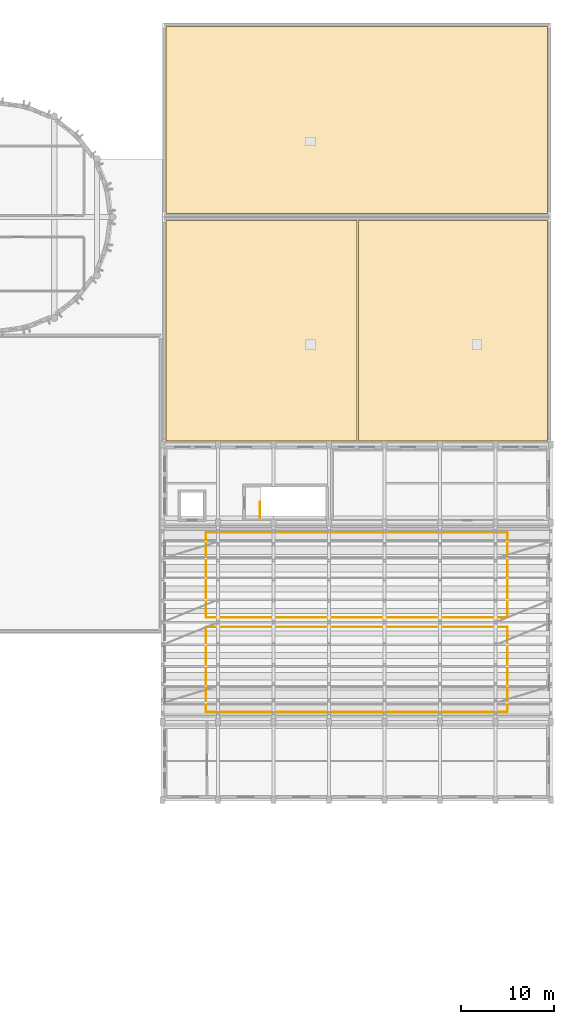
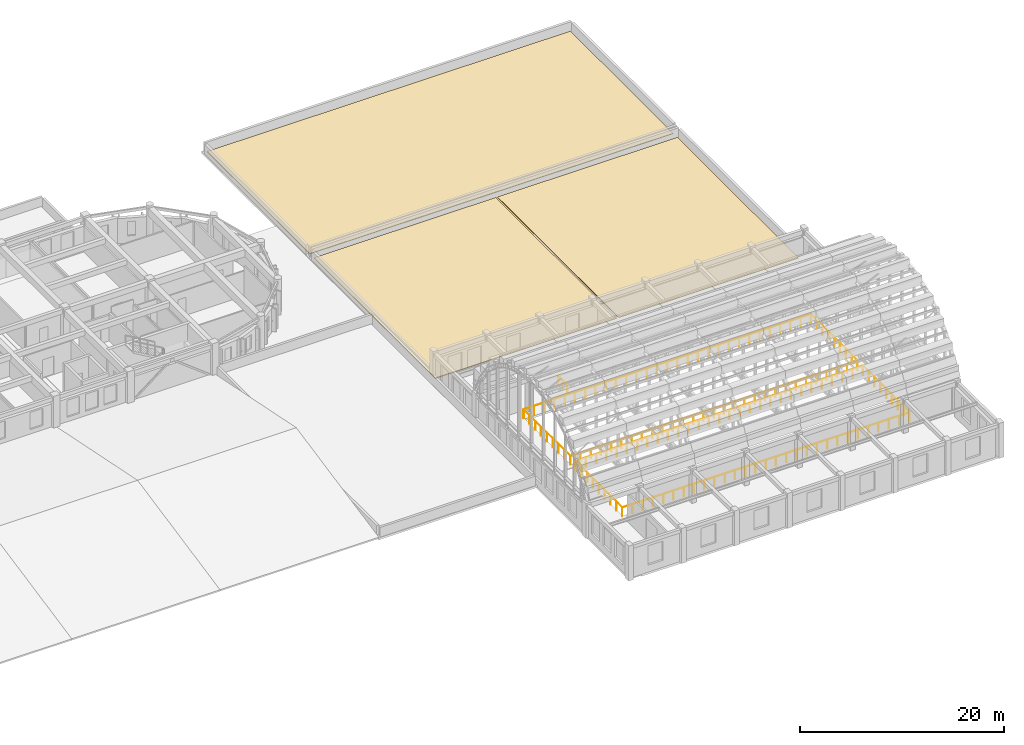
# One storey, part 46 of 46: 5 railings, 3 coverings.
"""IFC4 building model written with IfcOpenShell, lengths in metres."""

from ifc_helpers import new_model, si_unit, direction, frame, origin, origin_2d, place, context, subcontext, project, spatial, polyline, circle, outline, extrude, material, layer, layer_set, type_object, element, save


model = new_model("IFC4")

# Units and contexts
model_context = context("Model", 3, precision=1e-05, world=origin(), true_north=direction((0.0, 1.0)))
body_context = subcontext(model_context, "Body", "Model", "MODEL_VIEW")
ifc_project = project(units=[si_unit("LENGTHUNIT", "METRE"), si_unit("AREAUNIT", "SQUARE_METRE"), si_unit("VOLUMEUNIT", "CUBIC_METRE"), si_unit("PLANEANGLEUNIT", "RADIAN"), si_unit("MASSUNIT", "GRAM", prefix="KILO")], contexts=[model_context])

# Site, building, storey
site_placement = place(None, origin())
site = spatial("IfcSite", under=ifc_project, at=site_placement, CompositionType="ELEMENT")
building_placement = place(site_placement, origin())
building = spatial("IfcBuilding", under=site, at=building_placement, Name="Tarnavel Promenade Courthouse", CompositionType="ELEMENT")
storey_placement = place(building_placement, frame((0.0, 0.0, 14.39990234375)))
storey = spatial("IfcBuildingStorey", under=building, at=storey_placement, Name="L04", CompositionType="ELEMENT", Elevation=14.39990234375)

# Railings
ifc_material_1 = material(Name="Painted Architectural Steel Core Stair Guardrail", Category="steel")
railing_type_1 = type_object("IfcRailingType", Name="Painted Architectural Steel Core Stair Guardrail (RL-GRD-1100)", PredefinedType="GUARDRAIL", material=ifc_material_1)
railing_1_placement = place(storey_placement, frame((130.550048828125, 59.199951171875, 0.0)))
element("IfcRailing", 1, at=railing_1_placement, inside=storey, type_object=railing_type_1, Name="L04 ST-08 top well guard 1", PredefinedType="GUARDRAIL", context=body_context, shape_type="SweptSolid", body=[
    extrude(circle(Radius=0.02392578125, at=origin_2d()), frame((0.0, 0.0, 1.076171875), z_axis=(0.0, 1.0, 0.0), x_axis=(-1.0, 0.0, 0.0)), (0.0, 0.0, 1.0), 1.800048828125),
    extrude(circle(Radius=0.02099609375, at=origin_2d()), origin(), (0.0, 0.0, 1.0), 1.052001953125),
    extrude(circle(Radius=0.02099609375, at=origin_2d()), frame((0.0, 0.89990234375, 0.0)), (0.0, 0.0, 1.0), 1.052001953125),
    extrude(circle(Radius=0.02099609375, at=origin_2d()), frame((0.0, 1.800048828125, 0.0)), (0.0, 0.0, 1.0), 1.052001953125),
])
ifc_material_2 = material(Name="Painted Architectural Steel Stair & Atrium Guardrail", Category="steel")
railing_type_2 = type_object("IfcRailingType", Name="Painted Architectural Steel Stair & Atrium Guardrail (RL-GRD-1120)", PredefinedType="GUARDRAIL", material=ifc_material_2)
railing_2_placement = place(storey_placement, frame((124.699951171875, 47.4599609375, 0.0)))
element("IfcRailing", 2, at=railing_2_placement, inside=storey, type_object=railing_type_2, Name="L04 Ceremonial Courtroom Gallery Guardrail S South-West Run", PredefinedType="GUARDRAIL", context=body_context, shape_type="SweptSolid", body=[
    extrude(circle(Radius=0.02392578125, at=origin_2d()), frame((0.0, 0.0, 1.09619140625), z_axis=(0.0, -1.0, 0.0), x_axis=(1.0, 0.0, 0.0)), (0.0, 0.0, 1.0), 9.159912109375),
    extrude(circle(Radius=0.02392578125, at=origin_2d()), frame((0.0, -9.159912109375, 1.09619140625), z_axis=(1.0, 0.0, 0.0), x_axis=(0.0, 1.0, 0.0)), (0.0, 0.0, 1.0), 32.56005859375),
    extrude(circle(Radius=0.02099609375, at=origin_2d()), origin(), (0.0, 0.0, 1.0), 1.072021484375),
    extrude(circle(Radius=0.02099609375, at=origin_2d()), frame((0.0, -1.14501953125, 0.0)), (0.0, 0.0, 1.0), 1.072021484375),
    extrude(circle(Radius=0.02099609375, at=origin_2d()), frame((0.0, -2.2900390625, 0.0)), (0.0, 0.0, 1.0), 1.072021484375),
    extrude(circle(Radius=0.02099609375, at=origin_2d()), frame((0.0, -3.43505859375, 0.0)), (0.0, 0.0, 1.0), 1.072021484375),
    extrude(circle(Radius=0.02099609375, at=origin_2d()), frame((0.0, -4.580078125, 0.0)), (0.0, 0.0, 1.0), 1.072021484375),
    extrude(circle(Radius=0.02099609375, at=origin_2d()), frame((0.0, -5.724853515625, 0.0)), (0.0, 0.0, 1.0), 1.072021484375),
    extrude(circle(Radius=0.02099609375, at=origin_2d()), frame((0.0, -6.869873046875, 0.0)), (0.0, 0.0, 1.0), 1.072021484375),
    extrude(circle(Radius=0.02099609375, at=origin_2d()), frame((0.0, -8.014892578125, 0.0)), (0.0, 0.0, 1.0), 1.072021484375),
    extrude(circle(Radius=0.02099609375, at=origin_2d()), frame((0.0, -9.159912109375, 0.0)), (0.0, 0.0, 1.0), 1.072021484375),
    extrude(circle(Radius=0.02099609375, at=origin_2d()), frame((1.162841796875, -9.159912109375, 0.0)), (0.0, 0.0, 1.0), 1.072021484375),
    extrude(circle(Radius=0.02099609375, at=origin_2d()), frame((2.32568359375, -9.159912109375, 0.0)), (0.0, 0.0, 1.0), 1.072021484375),
    extrude(circle(Radius=0.02099609375, at=origin_2d()), frame((3.488525390625, -9.159912109375, 0.0)), (0.0, 0.0, 1.0), 1.072021484375),
    extrude(circle(Radius=0.02099609375, at=origin_2d()), frame((4.6513671875, -9.159912109375, 0.0)), (0.0, 0.0, 1.0), 1.072021484375),
    extrude(circle(Radius=0.02099609375, at=origin_2d()), frame((5.814208984375, -9.159912109375, 0.0)), (0.0, 0.0, 1.0), 1.072021484375),
    extrude(circle(Radius=0.02099609375, at=origin_2d()), frame((6.97705078125, -9.159912109375, 0.0)), (0.0, 0.0, 1.0), 1.072021484375),
    extrude(circle(Radius=0.02099609375, at=origin_2d()), frame((8.14013671875, -9.159912109375, 0.0)), (0.0, 0.0, 1.0), 1.072021484375),
    extrude(circle(Radius=0.02099609375, at=origin_2d()), frame((9.302978515625, -9.159912109375, 0.0)), (0.0, 0.0, 1.0), 1.072021484375),
    extrude(circle(Radius=0.02099609375, at=origin_2d()), frame((10.4658203125, -9.159912109375, 0.0)), (0.0, 0.0, 1.0), 1.072021484375),
    extrude(circle(Radius=0.02099609375, at=origin_2d()), frame((11.628662109375, -9.159912109375, 0.0)), (0.0, 0.0, 1.0), 1.072021484375),
    extrude(circle(Radius=0.02099609375, at=origin_2d()), frame((12.79150390625, -9.159912109375, 0.0)), (0.0, 0.0, 1.0), 1.072021484375),
    extrude(circle(Radius=0.02099609375, at=origin_2d()), frame((13.954345703125, -9.159912109375, 0.0)), (0.0, 0.0, 1.0), 1.072021484375),
    extrude(circle(Radius=0.02099609375, at=origin_2d()), frame((15.1171875, -9.159912109375, 0.0)), (0.0, 0.0, 1.0), 1.072021484375),
    extrude(circle(Radius=0.02099609375, at=origin_2d()), frame((16.280029296875, -9.159912109375, 0.0)), (0.0, 0.0, 1.0), 1.072021484375),
    extrude(circle(Radius=0.02099609375, at=origin_2d()), frame((17.44287109375, -9.159912109375, 0.0)), (0.0, 0.0, 1.0), 1.072021484375),
    extrude(circle(Radius=0.02099609375, at=origin_2d()), frame((18.605712890625, -9.159912109375, 0.0)), (0.0, 0.0, 1.0), 1.072021484375),
    extrude(circle(Radius=0.02099609375, at=origin_2d()), frame((19.7685546875, -9.159912109375, 0.0)), (0.0, 0.0, 1.0), 1.072021484375),
    extrude(circle(Radius=0.02099609375, at=origin_2d()), frame((20.931396484375, -9.159912109375, 0.0)), (0.0, 0.0, 1.0), 1.072021484375),
    extrude(circle(Radius=0.02099609375, at=origin_2d()), frame((22.09423828125, -9.159912109375, 0.0)), (0.0, 0.0, 1.0), 1.072021484375),
    extrude(circle(Radius=0.02099609375, at=origin_2d()), frame((23.257080078125, -9.159912109375, 0.0)), (0.0, 0.0, 1.0), 1.072021484375),
    extrude(circle(Radius=0.02099609375, at=origin_2d()), frame((24.419921875, -9.159912109375, 0.0)), (0.0, 0.0, 1.0), 1.072021484375),
    extrude(circle(Radius=0.02099609375, at=origin_2d()), frame((25.5830078125, -9.159912109375, 0.0)), (0.0, 0.0, 1.0), 1.072021484375),
    extrude(circle(Radius=0.02099609375, at=origin_2d()), frame((26.745849609375, -9.159912109375, 0.0)), (0.0, 0.0, 1.0), 1.072021484375),
    extrude(circle(Radius=0.02099609375, at=origin_2d()), frame((27.90869140625, -9.159912109375, 0.0)), (0.0, 0.0, 1.0), 1.072021484375),
    extrude(circle(Radius=0.02099609375, at=origin_2d()), frame((29.071533203125, -9.159912109375, 0.0)), (0.0, 0.0, 1.0), 1.072021484375),
    extrude(circle(Radius=0.02099609375, at=origin_2d()), frame((30.234375, -9.159912109375, 0.0)), (0.0, 0.0, 1.0), 1.072021484375),
    extrude(circle(Radius=0.02099609375, at=origin_2d()), frame((31.397216796875, -9.159912109375, 0.0)), (0.0, 0.0, 1.0), 1.072021484375),
    extrude(circle(Radius=0.02099609375, at=origin_2d()), frame((32.56005859375, -9.159912109375, 0.0)), (0.0, 0.0, 1.0), 1.072021484375),
])
railing_3_placement = place(storey_placement, frame((124.739990234375, 47.5, 0.0)))
element("IfcRailing", 3, at=railing_3_placement, inside=storey, type_object=railing_type_2, Name="L04 Ceremonial Courtroom Gallery Guardrail S North-East Run", PredefinedType="GUARDRAIL", context=body_context, shape_type="SweptSolid", body=[
    extrude(circle(Radius=0.02392578125, at=origin_2d()), frame((0.0, 0.0, 1.09619140625), z_axis=(1.0, 0.0, 0.0), x_axis=(0.0, 1.0, 0.0)), (0.0, 0.0, 1.0), 32.56005859375),
    extrude(circle(Radius=0.02392578125, at=origin_2d()), frame((32.56005859375, 0.0, 1.09619140625), z_axis=(0.0, -1.0, 0.0), x_axis=(1.0, 0.0, 0.0)), (0.0, 0.0, 1.0), 9.159912109375),
    extrude(circle(Radius=0.02099609375, at=origin_2d()), origin(), (0.0, 0.0, 1.0), 1.072021484375),
    extrude(circle(Radius=0.02099609375, at=origin_2d()), frame((1.162841796875, 0.0, 0.0)), (0.0, 0.0, 1.0), 1.072021484375),
    extrude(circle(Radius=0.02099609375, at=origin_2d()), frame((2.32568359375, 0.0, 0.0)), (0.0, 0.0, 1.0), 1.072021484375),
    extrude(circle(Radius=0.02099609375, at=origin_2d()), frame((3.488525390625, 0.0, 0.0)), (0.0, 0.0, 1.0), 1.072021484375),
    extrude(circle(Radius=0.02099609375, at=origin_2d()), frame((4.6513671875, 0.0, 0.0)), (0.0, 0.0, 1.0), 1.072021484375),
    extrude(circle(Radius=0.02099609375, at=origin_2d()), frame((5.814208984375, 0.0, 0.0)), (0.0, 0.0, 1.0), 1.072021484375),
    extrude(circle(Radius=0.02099609375, at=origin_2d()), frame((6.97705078125, 0.0, 0.0)), (0.0, 0.0, 1.0), 1.072021484375),
    extrude(circle(Radius=0.02099609375, at=origin_2d()), frame((8.14013671875, 0.0, 0.0)), (0.0, 0.0, 1.0), 1.072021484375),
    extrude(circle(Radius=0.02099609375, at=origin_2d()), frame((9.302978515625, 0.0, 0.0)), (0.0, 0.0, 1.0), 1.072021484375),
    extrude(circle(Radius=0.02099609375, at=origin_2d()), frame((10.4658203125, 0.0, 0.0)), (0.0, 0.0, 1.0), 1.072021484375),
    extrude(circle(Radius=0.02099609375, at=origin_2d()), frame((11.628662109375, 0.0, 0.0)), (0.0, 0.0, 1.0), 1.072021484375),
    extrude(circle(Radius=0.02099609375, at=origin_2d()), frame((12.79150390625, 0.0, 0.0)), (0.0, 0.0, 1.0), 1.072021484375),
    extrude(circle(Radius=0.02099609375, at=origin_2d()), frame((13.954345703125, 0.0, 0.0)), (0.0, 0.0, 1.0), 1.072021484375),
    extrude(circle(Radius=0.02099609375, at=origin_2d()), frame((15.1171875, 0.0, 0.0)), (0.0, 0.0, 1.0), 1.072021484375),
    extrude(circle(Radius=0.02099609375, at=origin_2d()), frame((16.280029296875, 0.0, 0.0)), (0.0, 0.0, 1.0), 1.072021484375),
    extrude(circle(Radius=0.02099609375, at=origin_2d()), frame((17.44287109375, 0.0, 0.0)), (0.0, 0.0, 1.0), 1.072021484375),
    extrude(circle(Radius=0.02099609375, at=origin_2d()), frame((18.605712890625, 0.0, 0.0)), (0.0, 0.0, 1.0), 1.072021484375),
    extrude(circle(Radius=0.02099609375, at=origin_2d()), frame((19.7685546875, 0.0, 0.0)), (0.0, 0.0, 1.0), 1.072021484375),
    extrude(circle(Radius=0.02099609375, at=origin_2d()), frame((20.931396484375, 0.0, 0.0)), (0.0, 0.0, 1.0), 1.072021484375),
    extrude(circle(Radius=0.02099609375, at=origin_2d()), frame((22.09423828125, 0.0, 0.0)), (0.0, 0.0, 1.0), 1.072021484375),
    extrude(circle(Radius=0.02099609375, at=origin_2d()), frame((23.257080078125, 0.0, 0.0)), (0.0, 0.0, 1.0), 1.072021484375),
    extrude(circle(Radius=0.02099609375, at=origin_2d()), frame((24.419921875, 0.0, 0.0)), (0.0, 0.0, 1.0), 1.072021484375),
    extrude(circle(Radius=0.02099609375, at=origin_2d()), frame((25.5830078125, 0.0, 0.0)), (0.0, 0.0, 1.0), 1.072021484375),
    extrude(circle(Radius=0.02099609375, at=origin_2d()), frame((26.745849609375, 0.0, 0.0)), (0.0, 0.0, 1.0), 1.072021484375),
    extrude(circle(Radius=0.02099609375, at=origin_2d()), frame((27.90869140625, 0.0, 0.0)), (0.0, 0.0, 1.0), 1.072021484375),
    extrude(circle(Radius=0.02099609375, at=origin_2d()), frame((29.071533203125, 0.0, 0.0)), (0.0, 0.0, 1.0), 1.072021484375),
    extrude(circle(Radius=0.02099609375, at=origin_2d()), frame((30.234375, 0.0, 0.0)), (0.0, 0.0, 1.0), 1.072021484375),
    extrude(circle(Radius=0.02099609375, at=origin_2d()), frame((31.397216796875, 0.0, 0.0)), (0.0, 0.0, 1.0), 1.072021484375),
    extrude(circle(Radius=0.02099609375, at=origin_2d()), frame((32.56005859375, 0.0, 0.0)), (0.0, 0.0, 1.0), 1.072021484375),
    extrude(circle(Radius=0.02099609375, at=origin_2d()), frame((32.56005859375, -1.14501953125, 0.0)), (0.0, 0.0, 1.0), 1.072021484375),
    extrude(circle(Radius=0.02099609375, at=origin_2d()), frame((32.56005859375, -2.2900390625, 0.0)), (0.0, 0.0, 1.0), 1.072021484375),
    extrude(circle(Radius=0.02099609375, at=origin_2d()), frame((32.56005859375, -3.43505859375, 0.0)), (0.0, 0.0, 1.0), 1.072021484375),
    extrude(circle(Radius=0.02099609375, at=origin_2d()), frame((32.56005859375, -4.580078125, 0.0)), (0.0, 0.0, 1.0), 1.072021484375),
    extrude(circle(Radius=0.02099609375, at=origin_2d()), frame((32.56005859375, -5.724853515625, 0.0)), (0.0, 0.0, 1.0), 1.072021484375),
    extrude(circle(Radius=0.02099609375, at=origin_2d()), frame((32.56005859375, -6.869873046875, 0.0)), (0.0, 0.0, 1.0), 1.072021484375),
    extrude(circle(Radius=0.02099609375, at=origin_2d()), frame((32.56005859375, -8.014892578125, 0.0)), (0.0, 0.0, 1.0), 1.072021484375),
    extrude(circle(Radius=0.02099609375, at=origin_2d()), frame((32.56005859375, -9.159912109375, 0.0)), (0.0, 0.0, 1.0), 1.072021484375),
])
railing_4_placement = place(storey_placement, frame((124.699951171875, 57.659912109375, 0.0)))
element("IfcRailing", 4, at=railing_4_placement, inside=storey, type_object=railing_type_2, Name="L04 Ceremonial Courtroom Gallery Guardrail N South-West Run", PredefinedType="GUARDRAIL", context=body_context, shape_type="SweptSolid", body=[
    extrude(circle(Radius=0.02392578125, at=origin_2d()), frame((0.0, 0.0, 1.09619140625), z_axis=(0.0, -1.0, 0.0), x_axis=(1.0, 0.0, 0.0)), (0.0, 0.0, 1.0), 9.159912109375),
    extrude(circle(Radius=0.02392578125, at=origin_2d()), frame((0.0, -9.159912109375, 1.09619140625), z_axis=(1.0, 0.0, 0.0), x_axis=(0.0, 1.0, 0.0)), (0.0, 0.0, 1.0), 32.56005859375),
    extrude(circle(Radius=0.02099609375, at=origin_2d()), origin(), (0.0, 0.0, 1.0), 1.072021484375),
    extrude(circle(Radius=0.02099609375, at=origin_2d()), frame((0.0, -1.14501953125, 0.0)), (0.0, 0.0, 1.0), 1.072021484375),
    extrude(circle(Radius=0.02099609375, at=origin_2d()), frame((0.0, -2.2900390625, 0.0)), (0.0, 0.0, 1.0), 1.072021484375),
    extrude(circle(Radius=0.02099609375, at=origin_2d()), frame((0.0, -3.43505859375, 0.0)), (0.0, 0.0, 1.0), 1.072021484375),
    extrude(circle(Radius=0.02099609375, at=origin_2d()), frame((0.0, -4.580078125, 0.0)), (0.0, 0.0, 1.0), 1.072021484375),
    extrude(circle(Radius=0.02099609375, at=origin_2d()), frame((0.0, -5.724853515625, 0.0)), (0.0, 0.0, 1.0), 1.072021484375),
    extrude(circle(Radius=0.02099609375, at=origin_2d()), frame((0.0, -6.869873046875, 0.0)), (0.0, 0.0, 1.0), 1.072021484375),
    extrude(circle(Radius=0.02099609375, at=origin_2d()), frame((0.0, -8.014892578125, 0.0)), (0.0, 0.0, 1.0), 1.072021484375),
    extrude(circle(Radius=0.02099609375, at=origin_2d()), frame((0.0, -9.159912109375, 0.0)), (0.0, 0.0, 1.0), 1.072021484375),
    extrude(circle(Radius=0.02099609375, at=origin_2d()), frame((1.162841796875, -9.159912109375, 0.0)), (0.0, 0.0, 1.0), 1.072021484375),
    extrude(circle(Radius=0.02099609375, at=origin_2d()), frame((2.32568359375, -9.159912109375, 0.0)), (0.0, 0.0, 1.0), 1.072021484375),
    extrude(circle(Radius=0.02099609375, at=origin_2d()), frame((3.488525390625, -9.159912109375, 0.0)), (0.0, 0.0, 1.0), 1.072021484375),
    extrude(circle(Radius=0.02099609375, at=origin_2d()), frame((4.6513671875, -9.159912109375, 0.0)), (0.0, 0.0, 1.0), 1.072021484375),
    extrude(circle(Radius=0.02099609375, at=origin_2d()), frame((5.814208984375, -9.159912109375, 0.0)), (0.0, 0.0, 1.0), 1.072021484375),
    extrude(circle(Radius=0.02099609375, at=origin_2d()), frame((6.97705078125, -9.159912109375, 0.0)), (0.0, 0.0, 1.0), 1.072021484375),
    extrude(circle(Radius=0.02099609375, at=origin_2d()), frame((8.14013671875, -9.159912109375, 0.0)), (0.0, 0.0, 1.0), 1.072021484375),
    extrude(circle(Radius=0.02099609375, at=origin_2d()), frame((9.302978515625, -9.159912109375, 0.0)), (0.0, 0.0, 1.0), 1.072021484375),
    extrude(circle(Radius=0.02099609375, at=origin_2d()), frame((10.4658203125, -9.159912109375, 0.0)), (0.0, 0.0, 1.0), 1.072021484375),
    extrude(circle(Radius=0.02099609375, at=origin_2d()), frame((11.628662109375, -9.159912109375, 0.0)), (0.0, 0.0, 1.0), 1.072021484375),
    extrude(circle(Radius=0.02099609375, at=origin_2d()), frame((12.79150390625, -9.159912109375, 0.0)), (0.0, 0.0, 1.0), 1.072021484375),
    extrude(circle(Radius=0.02099609375, at=origin_2d()), frame((13.954345703125, -9.159912109375, 0.0)), (0.0, 0.0, 1.0), 1.072021484375),
    extrude(circle(Radius=0.02099609375, at=origin_2d()), frame((15.1171875, -9.159912109375, 0.0)), (0.0, 0.0, 1.0), 1.072021484375),
    extrude(circle(Radius=0.02099609375, at=origin_2d()), frame((16.280029296875, -9.159912109375, 0.0)), (0.0, 0.0, 1.0), 1.072021484375),
    extrude(circle(Radius=0.02099609375, at=origin_2d()), frame((17.44287109375, -9.159912109375, 0.0)), (0.0, 0.0, 1.0), 1.072021484375),
    extrude(circle(Radius=0.02099609375, at=origin_2d()), frame((18.605712890625, -9.159912109375, 0.0)), (0.0, 0.0, 1.0), 1.072021484375),
    extrude(circle(Radius=0.02099609375, at=origin_2d()), frame((19.7685546875, -9.159912109375, 0.0)), (0.0, 0.0, 1.0), 1.072021484375),
    extrude(circle(Radius=0.02099609375, at=origin_2d()), frame((20.931396484375, -9.159912109375, 0.0)), (0.0, 0.0, 1.0), 1.072021484375),
    extrude(circle(Radius=0.02099609375, at=origin_2d()), frame((22.09423828125, -9.159912109375, 0.0)), (0.0, 0.0, 1.0), 1.072021484375),
    extrude(circle(Radius=0.02099609375, at=origin_2d()), frame((23.257080078125, -9.159912109375, 0.0)), (0.0, 0.0, 1.0), 1.072021484375),
    extrude(circle(Radius=0.02099609375, at=origin_2d()), frame((24.419921875, -9.159912109375, 0.0)), (0.0, 0.0, 1.0), 1.072021484375),
    extrude(circle(Radius=0.02099609375, at=origin_2d()), frame((25.5830078125, -9.159912109375, 0.0)), (0.0, 0.0, 1.0), 1.072021484375),
    extrude(circle(Radius=0.02099609375, at=origin_2d()), frame((26.745849609375, -9.159912109375, 0.0)), (0.0, 0.0, 1.0), 1.072021484375),
    extrude(circle(Radius=0.02099609375, at=origin_2d()), frame((27.90869140625, -9.159912109375, 0.0)), (0.0, 0.0, 1.0), 1.072021484375),
    extrude(circle(Radius=0.02099609375, at=origin_2d()), frame((29.071533203125, -9.159912109375, 0.0)), (0.0, 0.0, 1.0), 1.072021484375),
    extrude(circle(Radius=0.02099609375, at=origin_2d()), frame((30.234375, -9.159912109375, 0.0)), (0.0, 0.0, 1.0), 1.072021484375),
    extrude(circle(Radius=0.02099609375, at=origin_2d()), frame((31.397216796875, -9.159912109375, 0.0)), (0.0, 0.0, 1.0), 1.072021484375),
    extrude(circle(Radius=0.02099609375, at=origin_2d()), frame((32.56005859375, -9.159912109375, 0.0)), (0.0, 0.0, 1.0), 1.072021484375),
])
railing_5_placement = place(storey_placement, frame((124.739990234375, 57.699951171875, 0.0)))
element("IfcRailing", 5, at=railing_5_placement, inside=storey, type_object=railing_type_2, Name="L04 Ceremonial Courtroom Gallery Guardrail N North-East Run", PredefinedType="GUARDRAIL", context=body_context, shape_type="SweptSolid", body=[
    extrude(circle(Radius=0.02392578125, at=origin_2d()), frame((0.0, 0.0, 1.09619140625), z_axis=(1.0, 0.0, 0.0), x_axis=(0.0, 1.0, 0.0)), (0.0, 0.0, 1.0), 32.56005859375),
    extrude(circle(Radius=0.02392578125, at=origin_2d()), frame((32.56005859375, 0.0, 1.09619140625), z_axis=(0.0, -1.0, 0.0), x_axis=(1.0, 0.0, 0.0)), (0.0, 0.0, 1.0), 9.159912109375),
    extrude(circle(Radius=0.02099609375, at=origin_2d()), origin(), (0.0, 0.0, 1.0), 1.072021484375),
    extrude(circle(Radius=0.02099609375, at=origin_2d()), frame((1.162841796875, 0.0, 0.0)), (0.0, 0.0, 1.0), 1.072021484375),
    extrude(circle(Radius=0.02099609375, at=origin_2d()), frame((2.32568359375, 0.0, 0.0)), (0.0, 0.0, 1.0), 1.072021484375),
    extrude(circle(Radius=0.02099609375, at=origin_2d()), frame((3.488525390625, 0.0, 0.0)), (0.0, 0.0, 1.0), 1.072021484375),
    extrude(circle(Radius=0.02099609375, at=origin_2d()), frame((4.6513671875, 0.0, 0.0)), (0.0, 0.0, 1.0), 1.072021484375),
    extrude(circle(Radius=0.02099609375, at=origin_2d()), frame((5.814208984375, 0.0, 0.0)), (0.0, 0.0, 1.0), 1.072021484375),
    extrude(circle(Radius=0.02099609375, at=origin_2d()), frame((6.97705078125, 0.0, 0.0)), (0.0, 0.0, 1.0), 1.072021484375),
    extrude(circle(Radius=0.02099609375, at=origin_2d()), frame((8.14013671875, 0.0, 0.0)), (0.0, 0.0, 1.0), 1.072021484375),
    extrude(circle(Radius=0.02099609375, at=origin_2d()), frame((9.302978515625, 0.0, 0.0)), (0.0, 0.0, 1.0), 1.072021484375),
    extrude(circle(Radius=0.02099609375, at=origin_2d()), frame((10.4658203125, 0.0, 0.0)), (0.0, 0.0, 1.0), 1.072021484375),
    extrude(circle(Radius=0.02099609375, at=origin_2d()), frame((11.628662109375, 0.0, 0.0)), (0.0, 0.0, 1.0), 1.072021484375),
    extrude(circle(Radius=0.02099609375, at=origin_2d()), frame((12.79150390625, 0.0, 0.0)), (0.0, 0.0, 1.0), 1.072021484375),
    extrude(circle(Radius=0.02099609375, at=origin_2d()), frame((13.954345703125, 0.0, 0.0)), (0.0, 0.0, 1.0), 1.072021484375),
    extrude(circle(Radius=0.02099609375, at=origin_2d()), frame((15.1171875, 0.0, 0.0)), (0.0, 0.0, 1.0), 1.072021484375),
    extrude(circle(Radius=0.02099609375, at=origin_2d()), frame((16.280029296875, 0.0, 0.0)), (0.0, 0.0, 1.0), 1.072021484375),
    extrude(circle(Radius=0.02099609375, at=origin_2d()), frame((17.44287109375, 0.0, 0.0)), (0.0, 0.0, 1.0), 1.072021484375),
    extrude(circle(Radius=0.02099609375, at=origin_2d()), frame((18.605712890625, 0.0, 0.0)), (0.0, 0.0, 1.0), 1.072021484375),
    extrude(circle(Radius=0.02099609375, at=origin_2d()), frame((19.7685546875, 0.0, 0.0)), (0.0, 0.0, 1.0), 1.072021484375),
    extrude(circle(Radius=0.02099609375, at=origin_2d()), frame((20.931396484375, 0.0, 0.0)), (0.0, 0.0, 1.0), 1.072021484375),
    extrude(circle(Radius=0.02099609375, at=origin_2d()), frame((22.09423828125, 0.0, 0.0)), (0.0, 0.0, 1.0), 1.072021484375),
    extrude(circle(Radius=0.02099609375, at=origin_2d()), frame((23.257080078125, 0.0, 0.0)), (0.0, 0.0, 1.0), 1.072021484375),
    extrude(circle(Radius=0.02099609375, at=origin_2d()), frame((24.419921875, 0.0, 0.0)), (0.0, 0.0, 1.0), 1.072021484375),
    extrude(circle(Radius=0.02099609375, at=origin_2d()), frame((25.5830078125, 0.0, 0.0)), (0.0, 0.0, 1.0), 1.072021484375),
    extrude(circle(Radius=0.02099609375, at=origin_2d()), frame((26.745849609375, 0.0, 0.0)), (0.0, 0.0, 1.0), 1.072021484375),
    extrude(circle(Radius=0.02099609375, at=origin_2d()), frame((27.90869140625, 0.0, 0.0)), (0.0, 0.0, 1.0), 1.072021484375),
    extrude(circle(Radius=0.02099609375, at=origin_2d()), frame((29.071533203125, 0.0, 0.0)), (0.0, 0.0, 1.0), 1.072021484375),
    extrude(circle(Radius=0.02099609375, at=origin_2d()), frame((30.234375, 0.0, 0.0)), (0.0, 0.0, 1.0), 1.072021484375),
    extrude(circle(Radius=0.02099609375, at=origin_2d()), frame((31.397216796875, 0.0, 0.0)), (0.0, 0.0, 1.0), 1.072021484375),
    extrude(circle(Radius=0.02099609375, at=origin_2d()), frame((32.56005859375, 0.0, 0.0)), (0.0, 0.0, 1.0), 1.072021484375),
    extrude(circle(Radius=0.02099609375, at=origin_2d()), frame((32.56005859375, -1.14501953125, 0.0)), (0.0, 0.0, 1.0), 1.072021484375),
    extrude(circle(Radius=0.02099609375, at=origin_2d()), frame((32.56005859375, -2.2900390625, 0.0)), (0.0, 0.0, 1.0), 1.072021484375),
    extrude(circle(Radius=0.02099609375, at=origin_2d()), frame((32.56005859375, -3.43505859375, 0.0)), (0.0, 0.0, 1.0), 1.072021484375),
    extrude(circle(Radius=0.02099609375, at=origin_2d()), frame((32.56005859375, -4.580078125, 0.0)), (0.0, 0.0, 1.0), 1.072021484375),
    extrude(circle(Radius=0.02099609375, at=origin_2d()), frame((32.56005859375, -5.724853515625, 0.0)), (0.0, 0.0, 1.0), 1.072021484375),
    extrude(circle(Radius=0.02099609375, at=origin_2d()), frame((32.56005859375, -6.869873046875, 0.0)), (0.0, 0.0, 1.0), 1.072021484375),
    extrude(circle(Radius=0.02099609375, at=origin_2d()), frame((32.56005859375, -8.014892578125, 0.0)), (0.0, 0.0, 1.0), 1.072021484375),
    extrude(circle(Radius=0.02099609375, at=origin_2d()), frame((32.56005859375, -9.159912109375, 0.0)), (0.0, 0.0, 1.0), 1.072021484375),
])

# Coverings
ifc_material_3 = material(Name="Standing-Seam Patinated Copper Snow-Retaining Roofing")
ifc_layer = layer(ifc_material_3, 0.0849609375)
ifc_layer_set = layer_set([ifc_layer], Name="Standing-Seam Patinated Copper Snow-Retaining Roofing")
covering_type = type_object("IfcCoveringType", Name="Standing-Seam Patinated Copper Snow-Retaining Roofing COV-RF-COPPER-85 (85 mm)", PredefinedType="ROOFING", material=ifc_layer_set)
covering_1_placement = place(storey_placement, frame((0.0, 0.0, 0.26513671875)))
element("IfcCovering", 6, at=covering_1_placement, inside=storey, type_object=covering_type, Name="L04 Standing-Seam Copper Roof Build-Up 01", PredefinedType="ROOFING", context=body_context, shape_type="SweptSolid", body=[
    extrude(outline(polyline([(120.39990234375, 67.60009765625), (141.0, 67.60009765625), (141.0, 91.39990234375), (120.39990234375, 91.39990234375), (120.39990234375, 67.60009765625)])), origin(), (0.0, 0.0, 1.0), 0.0849609375),
])
covering_2_placement = place(storey_placement, frame((0.0, 0.0, 0.26513671875)))
element("IfcCovering", 7, at=covering_2_placement, inside=storey, type_object=covering_type, Name="L04 Standing-Seam Copper Roof Build-Up 02", PredefinedType="ROOFING", context=body_context, shape_type="SweptSolid", body=[
    extrude(outline(polyline([(141.199951171875, 67.60009765625), (161.60009765625, 67.60009765625), (161.60009765625, 91.39990234375), (141.199951171875, 91.39990234375), (141.199951171875, 67.60009765625)])), origin(), (0.0, 0.0, 1.0), 0.0849609375),
])
covering_3_placement = place(storey_placement, frame((0.0, 0.0, 0.26513671875)))
element("IfcCovering", 8, at=covering_3_placement, inside=storey, type_object=covering_type, Name="L04 Standing-Seam Copper Roof Build-Up 03", PredefinedType="ROOFING", context=body_context, shape_type="SweptSolid", body=[
    extrude(outline(polyline([(120.39990234375, 92.199951171875), (161.60009765625, 92.199951171875), (161.60009765625, 112.39990234375), (120.39990234375, 112.39990234375), (120.39990234375, 92.199951171875)])), origin(), (0.0, 0.0, 1.0), 0.0849609375),
])

save(model, "model.ifc")
